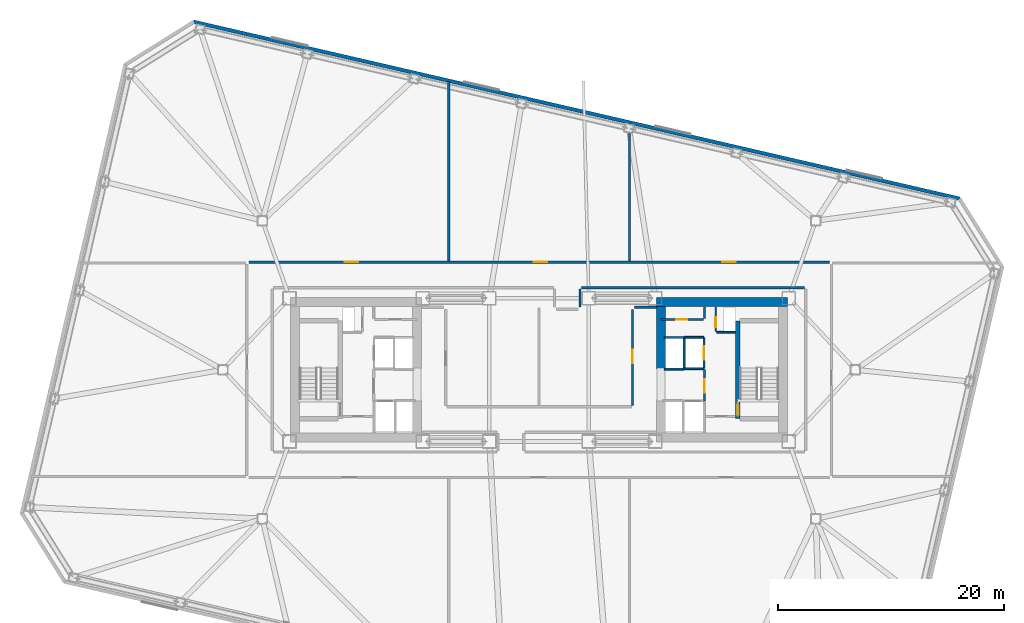
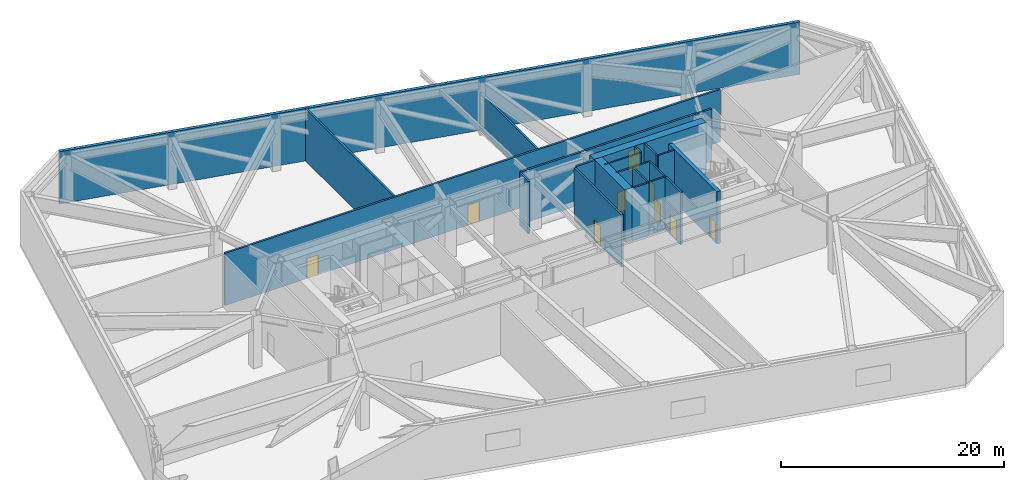
# One storey, part 6 of 15: 22 walls, 9 doors, 9 openings.
"""IFC4 building model written with IfcOpenShell, lengths in metres."""

from ifc_helpers import new_model, si_unit, direction, frame, frame_2d, origin, place, context, subcontext, project, spatial, rectangle, extrude, material, layer, layer_set, type_object, element, fill, save


model = new_model("IFC4")

# Units and contexts
model_context = context("Model", 3, precision=1e-05, world=origin(), true_north=direction((0.0, 1.0)))
body_context = subcontext(model_context, "Body", "Model", "MODEL_VIEW")
ifc_project = project(units=[si_unit("LENGTHUNIT", "METRE"), si_unit("AREAUNIT", "SQUARE_METRE"), si_unit("VOLUMEUNIT", "CUBIC_METRE"), si_unit("PLANEANGLEUNIT", "RADIAN"), si_unit("MASSUNIT", "GRAM", prefix="KILO")], contexts=[model_context])

# Site, building, storey
site_placement = place(None, origin())
site = spatial("IfcSite", under=ifc_project, at=site_placement, CompositionType="ELEMENT")
building_placement = place(site_placement, origin())
building = spatial("IfcBuilding", under=site, at=building_placement, Name="Tavrogorsk Clinical Tower", CompositionType="ELEMENT")
storey_placement = place(building_placement, frame((0.0, 0.0, 33.39990234375)))
storey = spatial("IfcBuildingStorey", under=building, at=storey_placement, Name="L06", CompositionType="ELEMENT", Elevation=33.39990234375)

# Wall, opening, door
ifc_material_1 = material(Name="Concrete B60", Category="concrete")
ifc_layer_1 = layer(ifc_material_1, 0.199951171875)
ifc_layer_set_1 = layer_set([ifc_layer_1], Name="Concrete B60")
wall_type_1 = type_object("IfcWallType", Name="CoreFireWall_200", PredefinedType="SOLIDWALL", material=ifc_layer_set_1)
wall_1_placement = place(storey_placement, frame((14.639892578125, -2.780029296875, 0.0), z_axis=(0.0, 0.0, 1.0), x_axis=(0.0, 1.0, 0.0)))
wall_1 = element("IfcWall", 1, at=wall_1_placement, inside=storey, type_object=wall_type_1, Name="L06 Core East Firefighting Lobby Fire Wall", PredefinedType="SOLIDWALL", context=body_context, shape_type="SweptSolid", body=[
    extrude(rectangle(XDim=2.820068359375, YDim=0.199951171875, at=frame_2d((1.41015625, 0.0))), origin(), (0.0, 0.0, 1.0), 5.739990234375),
])
opening_1_placement = place(wall_1_placement, frame((0.72998046875, 0.0, 0.0)))
opening_1 = element("IfcOpeningElement", 2, at=opening_1_placement, cuts=wall_1, Name="Opening FD-01", PredefinedType="OPENING", context=body_context, shape_type="SweptSolid", body=[
    extrude(rectangle(XDim=1.199951171875, YDim=2.199951171875, at=frame_2d((0.60009765625, 1.10009765625))), frame((0.0, 0.10986328125, 0.0), z_axis=(0.0, -1.0, 0.0), x_axis=(1.0, 0.0, 0.0)), (0.0, 0.0, 1.0), 0.219970703125),
])
ifc_material_2 = material(Name="Galvanised steel fire-rated door assembly", Category="steel")
door_type_1 = type_object("IfcDoorType", Name="FireDoor_FD01_1200", OperationType="NOTDEFINED", PredefinedType="DOOR", material=ifc_material_2)
door_1_placement = place(opening_1_placement, origin())
door_1 = element("IfcDoor", 3, at=door_1_placement, inside=storey, type_object=door_type_1, Name="L06 Core East Firefighting Lobby Entry Door", OperationType="SINGLE_SWING_RIGHT", OverallHeight=2.199951171875, OverallWidth=1.199951171875, PredefinedType="DOOR", context=body_context, shape_type="SweptSolid", body=[
    extrude(rectangle(XDim=1.199951171875, YDim=2.199951171875, at=frame_2d((0.60009765625, 1.10009765625))), frame((0.0, 0.02490234375, 0.0), z_axis=(0.0, -1.0, 0.0), x_axis=(1.0, 0.0, 0.0)), (0.0, 0.0, 1.0), 0.050048828125),
])
fill(opening_1, door_1)

# Wall, openings, doors
wall_2_placement = place(storey_placement, frame((-25.695068359375, 9.530029296875, 0.0), z_axis=(0.0, 0.0, 1.0), x_axis=(1.0, 0.0, 0.0)))
wall_2 = element("IfcWall", 4, at=wall_2_placement, inside=storey, type_object=wall_type_1, Name="L06 Refuge Corridor Fire Wall 02", PredefinedType="SOLIDWALL", context=body_context, shape_type="SweptSolid", body=[
    extrude(rectangle(XDim=51.39013671875, YDim=0.199951171875, at=frame_2d((25.695068359375, 0.0))), origin(), (0.0, 0.0, 1.0), 5.739990234375),
])
opening_2_placement = place(wall_2_placement, frame((25.199951171875, 0.0, 0.0)))
opening_2 = element("IfcOpeningElement", 5, at=opening_2_placement, cuts=wall_2, Name="Opening FD-01", PredefinedType="OPENING", context=body_context, shape_type="SweptSolid", body=[
    extrude(rectangle(XDim=1.199951171875, YDim=2.199951171875, at=frame_2d((0.60009765625, 1.10009765625))), frame((0.0, 0.10986328125, 0.0), z_axis=(0.0, -1.0, 0.0), x_axis=(1.0, 0.0, 0.0)), (0.0, 0.0, 1.0), 0.219970703125),
])
opening_3_placement = place(wall_2_placement, frame((8.494140625, 0.0, 0.0)))
opening_3 = element("IfcOpeningElement", 6, at=opening_3_placement, cuts=wall_2, Name="Opening FD-01", PredefinedType="OPENING", context=body_context, shape_type="SweptSolid", body=[
    extrude(rectangle(XDim=1.199951171875, YDim=2.199951171875, at=frame_2d((0.60009765625, 1.10009765625))), frame((0.0, 0.10986328125, 0.0), z_axis=(0.0, -1.0, 0.0), x_axis=(1.0, 0.0, 0.0)), (0.0, 0.0, 1.0), 0.219970703125),
])
opening_4_placement = place(wall_2_placement, frame((41.906005859375, 0.0, 0.0)))
opening_4 = element("IfcOpeningElement", 7, at=opening_4_placement, cuts=wall_2, Name="Opening FD-01", PredefinedType="OPENING", context=body_context, shape_type="SweptSolid", body=[
    extrude(rectangle(XDim=1.199951171875, YDim=2.199951171875, at=frame_2d((0.60009765625, 1.10009765625))), frame((0.0, 0.10986328125, 0.0), z_axis=(0.0, -1.0, 0.0), x_axis=(1.0, 0.0, 0.0)), (0.0, 0.0, 1.0), 0.219970703125),
])
door_2_placement = place(opening_2_placement, origin())
door_2 = element("IfcDoor", 8, at=door_2_placement, inside=storey, type_object=door_type_1, Name="L06 Assisted Bariatric Evacuation Refuge North Fire Door", OperationType="SINGLE_SWING_RIGHT", OverallHeight=2.199951171875, OverallWidth=1.199951171875, PredefinedType="DOOR", context=body_context, shape_type="SweptSolid", body=[
    extrude(rectangle(XDim=1.199951171875, YDim=2.199951171875, at=frame_2d((0.60009765625, 1.10009765625))), frame((0.0, 0.02490234375, 0.0), z_axis=(0.0, -1.0, 0.0), x_axis=(1.0, 0.0, 0.0)), (0.0, 0.0, 1.0), 0.050048828125),
])
fill(opening_2, door_2)
door_3_placement = place(opening_3_placement, origin())
door_3 = element("IfcDoor", 9, at=door_3_placement, inside=storey, type_object=door_type_1, Name="L06 HEPA Isolation AHU Plant West Fire Door", OperationType="SINGLE_SWING_LEFT", OverallHeight=2.199951171875, OverallWidth=1.199951171875, PredefinedType="DOOR", context=body_context, shape_type="SweptSolid", body=[
    extrude(rectangle(XDim=1.199951171875, YDim=2.199951171875, at=frame_2d((0.60009765625, 1.10009765625))), frame((0.0, 0.02490234375, 0.0), z_axis=(0.0, -1.0, 0.0), x_axis=(1.0, 0.0, 0.0)), (0.0, 0.0, 1.0), 0.050048828125),
])
fill(opening_3, door_3)
door_4_placement = place(opening_4_placement, origin())
door_4 = element("IfcDoor", 10, at=door_4_placement, inside=storey, type_object=door_type_1, Name="L06 HEPA Isolation AHU Plant East Fire Door", OperationType="SINGLE_SWING_RIGHT", OverallHeight=2.199951171875, OverallWidth=1.199951171875, PredefinedType="DOOR", context=body_context, shape_type="SweptSolid", body=[
    extrude(rectangle(XDim=1.199951171875, YDim=2.199951171875, at=frame_2d((0.60009765625, 1.10009765625))), frame((0.0, 0.02490234375, 0.0), z_axis=(0.0, -1.0, 0.0), x_axis=(1.0, 0.0, 0.0)), (0.0, 0.0, 1.0), 0.050048828125),
])
fill(opening_4, door_4)

# Wall, opening, door
wall_3_placement = place(storey_placement, frame((8.27001953125, -3.1650390625, 0.0), z_axis=(0.0, 0.0, 1.0), x_axis=(0.0, 1.0, 0.0)))
wall_3 = element("IfcWall", 11, at=wall_3_placement, inside=storey, type_object=wall_type_1, Name="L06 Refuge Corridor Fire Wall 10", PredefinedType="SOLIDWALL", context=body_context, shape_type="SweptSolid", body=[
    extrude(rectangle(XDim=8.510009765625, YDim=0.199951171875, at=frame_2d((4.2548828125, 0.0))), origin(), (0.0, 0.0, 1.0), 5.739990234375),
])
opening_5_placement = place(wall_3_placement, frame((3.760009765625, 0.0, 0.0)))
opening_5 = element("IfcOpeningElement", 12, at=opening_5_placement, cuts=wall_3, Name="Opening FD-01", PredefinedType="OPENING", context=body_context, shape_type="SweptSolid", body=[
    extrude(rectangle(XDim=1.199951171875, YDim=2.199951171875, at=frame_2d((0.60009765625, 1.10009765625))), frame((0.0, 0.10986328125, 0.0), z_axis=(0.0, -1.0, 0.0), x_axis=(1.0, 0.0, 0.0)), (0.0, 0.0, 1.0), 0.219970703125),
])
door_5_placement = place(opening_5_placement, origin())
door_5 = element("IfcDoor", 13, at=door_5_placement, inside=storey, type_object=door_type_1, Name="L06 Zone Domestic Water & Vacuum Booster Fire Door", OperationType="SINGLE_SWING_RIGHT", OverallHeight=2.199951171875, OverallWidth=1.199951171875, PredefinedType="DOOR", context=body_context, shape_type="SweptSolid", body=[
    extrude(rectangle(XDim=1.199951171875, YDim=2.199951171875, at=frame_2d((0.60009765625, 1.10009765625))), frame((0.0, 0.02490234375, 0.0), z_axis=(0.0, -1.0, 0.0), x_axis=(1.0, 0.0, 0.0)), (0.0, 0.0, 1.0), 0.050048828125),
])
fill(opening_5, door_5)

# Walls
wall_4_placement = place(storey_placement, frame((8.455078125, 5.530029296875, 0.0), z_axis=(0.0, 0.0, 1.0), x_axis=(1.0, 0.0, 0.0)))
element("IfcWall", 14, at=wall_4_placement, inside=storey, type_object=wall_type_1, Name="L06 Refuge Corridor Fire Wall 11", PredefinedType="SOLIDWALL", context=body_context, shape_type="SweptSolid", body=[
    extrude(rectangle(XDim=1.9248046875, YDim=0.199951171875, at=frame_2d((0.96240234375, 0.0))), origin(), (0.0, 0.0, 1.0), 5.739990234375),
])
wall_5_placement = place(storey_placement, frame((23.514892578125, 7.27001953125, 0.0), z_axis=(0.0, 0.0, 1.0), x_axis=(-1.0, 0.0, 0.0)))
element("IfcWall", 15, at=wall_5_placement, inside=storey, type_object=wall_type_1, Name="L06 Refuge Corridor Fire Wall 16", PredefinedType="SOLIDWALL", context=body_context, shape_type="SweptSolid", body=[
    extrude(rectangle(XDim=19.77978515625, YDim=0.199951171875, at=frame_2d((9.889892578125, 0.0))), origin(), (0.0, 0.0, 1.0), 5.739990234375),
])
wall_6_placement = place(storey_placement, frame((3.6298828125, 7.1650390625, 0.0), z_axis=(0.0, 0.0, 1.0), x_axis=(0.0, -1.0, 0.0)))
element("IfcWall", 16, at=wall_6_placement, inside=storey, type_object=wall_type_1, Name="L06 Refuge Corridor Fire Wall 17", PredefinedType="SOLIDWALL", context=body_context, shape_type="SweptSolid", body=[
    extrude(rectangle(XDim=1.610107421875, YDim=0.199951171875, at=frame_2d((0.80517578125, 0.0))), origin(), (0.0, 0.0, 1.0), 5.739990234375),
])
wall_7_placement = place(storey_placement, frame((-8.0, 9.635009765625, 0.0), z_axis=(0.0, 0.0, 1.0), x_axis=(0.0, 1.0, 0.0)))
element("IfcWall", 17, at=wall_7_placement, inside=storey, type_object=wall_type_1, Name="L06 Refuge & Plant Fire Wall 7", PredefinedType="SOLIDWALL", context=body_context, shape_type="SweptSolid", body=[
    extrude(rectangle(XDim=15.905517578125, YDim=0.199951171875, at=frame_2d((7.95263671875, 0.0))), origin(), (0.0, 0.0, 1.0), 5.739990234375),
])
wall_8_placement = place(storey_placement, frame((8.0, 9.635009765625, 0.0), z_axis=(0.0, 0.0, 1.0), x_axis=(0.0, 1.0, 0.0)))
element("IfcWall", 18, at=wall_8_placement, inside=storey, type_object=wall_type_1, Name="L06 Refuge & Plant Fire Wall 8", PredefinedType="SOLIDWALL", context=body_context, shape_type="SweptSolid", body=[
    extrude(rectangle(XDim=12.211669921875, YDim=0.199951171875, at=frame_2d((6.10595703125, 0.0))), origin(), (0.0, 0.0, 1.0), 4.135009765625),
])

# Wall, opening, door
ifc_material_3 = material(Name="Lightweight concrete blockwork B15", Category="masonry")
ifc_layer_2 = layer(ifc_material_3, 0.159912109375)
ifc_layer_set_2 = layer_set([ifc_layer_2], Name="Lightweight concrete blockwork B15")
wall_type_2 = type_object("IfcWallType", Name="PartitionWall_160", PredefinedType="PARTITIONING", material=ifc_layer_set_2)
wall_9_placement = place(storey_placement, frame((10.800048828125, 4.4599609375, 0.0), z_axis=(0.0, 0.0, 1.0), x_axis=(1.0, 0.0, 0.0)))
wall_9 = element("IfcWall", 19, at=wall_9_placement, inside=storey, type_object=wall_type_2, Name="L06 Core East Pneumatic Dispatch South Wall", PredefinedType="PARTITIONING", context=body_context, shape_type="SweptSolid", body=[
    extrude(rectangle(XDim=3.7548828125, YDim=0.159912109375, at=frame_2d((1.87744140625, 0.0))), origin(), (0.0, 0.0, 1.0), 5.739990234375),
])
opening_6_placement = place(wall_9_placement, frame((1.35009765625, 0.0, 0.0)))
opening_6 = element("IfcOpeningElement", 20, at=opening_6_placement, cuts=wall_9, Name="Opening ID-02", PredefinedType="OPENING", context=body_context, shape_type="SweptSolid", body=[
    extrude(rectangle(XDim=0.949951171875, YDim=2.199951171875, at=frame_2d((0.47509765625, 1.10009765625))), frame((0.0, 0.08984375, 0.0), z_axis=(0.0, -1.0, 0.0), x_axis=(1.0, 0.0, 0.0)), (0.0, 0.0, 1.0), 0.179931640625),
])
ifc_material_4 = material(Name="Laminated timber leaf on aluminium frame", Category="wood")
door_type_2 = type_object("IfcDoorType", Name="InteriorDoor_ID02_950", OperationType="NOTDEFINED", PredefinedType="DOOR", material=ifc_material_4)
door_6_placement = place(opening_6_placement, origin())
door_6 = element("IfcDoor", 21, at=door_6_placement, inside=storey, type_object=door_type_2, Name="L06 Core East Pneumatic Dispatch Door", OperationType="SINGLE_SWING_LEFT", OverallHeight=2.199951171875, OverallWidth=0.949951171875, PredefinedType="DOOR", context=body_context, shape_type="SweptSolid", body=[
    extrude(rectangle(XDim=0.949951171875, YDim=2.199951171875, at=frame_2d((0.47509765625, 1.10009765625))), frame((0.0, 0.02490234375, 0.0), z_axis=(0.0, -1.0, 0.0), x_axis=(1.0, 0.0, 0.0)), (0.0, 0.0, 1.0), 0.050048828125),
])
fill(opening_6, door_6)

# Walls
wall_10_placement = place(storey_placement, frame((14.639892578125, 4.544921875, 0.0), z_axis=(0.0, 0.0, 1.0), x_axis=(0.0, 1.0, 0.0)))
element("IfcWall", 22, at=wall_10_placement, inside=storey, type_object=wall_type_2, Name="L06 Core East Pneumatic Dispatch East Wall", PredefinedType="PARTITIONING", context=body_context, shape_type="SweptSolid", body=[
    extrude(rectangle(XDim=1.01513671875, YDim=0.159912109375, at=frame_2d((0.507568359375, 0.0))), origin(), (0.0, 0.0, 1.0), 5.739990234375),
])
ifc_material_5 = material(Name="Precast concrete B45 acoustic plenum wall", Category="concrete")
ifc_layer_3 = layer(ifc_material_5, 0.320068359375)
ifc_layer_set_3 = layer_set([ifc_layer_3], Name="Precast concrete B45 acoustic plenum wall")
wall_type_3 = type_object("IfcWallType", Name="PlantLouvreWall_320", PredefinedType="STANDARD", material=ifc_layer_set_3)
wall_11_placement = place(storey_placement, frame((37.230712890625, 15.15966796875, 0.0), z_axis=(0.0, 0.0, 1.0), x_axis=(-0.97436943503, 0.224953782098, 0.0)))
element("IfcWall", 23, at=wall_11_placement, inside=storey, type_object=wall_type_3, Name="L06 N Limestone Facade Wall 1", PredefinedType="STANDARD", context=body_context, shape_type="SweptSolid", body=[
    extrude(rectangle(XDim=69.599853515625, YDim=0.320068359375, at=frame_2d((34.7998046875, 0.0))), origin(), (0.0, 0.0, 1.0), 5.739990234375),
])

# Wall, opening, door
ifc_material_6 = material(Name="Lightweight concrete blockwork B25", Category="masonry")
ifc_layer_4 = layer(ifc_material_6, 0.159912109375)
ifc_layer_set_4 = layer_set([ifc_layer_4], Name="Lightweight concrete blockwork B25")
wall_type_4 = type_object("IfcWallType", Name="ShaftWall_160", PredefinedType="PARTITIONING", material=ifc_layer_set_4)
wall_12_placement = place(storey_placement, frame((14.60009765625, 0.1201171875, 0.0), z_axis=(0.0, 0.0, 1.0), x_axis=(0.0, 1.0, 0.0)))
wall_12 = element("IfcWall", 24, at=wall_12_placement, inside=storey, type_object=wall_type_4, Name="L06 FFL-E Firefighting Lift Front Wall", PredefinedType="PARTITIONING", context=body_context, shape_type="SweptSolid", body=[
    extrude(rectangle(XDim=2.739990234375, YDim=0.159912109375, at=frame_2d((1.3701171875, 0.0))), origin(), (0.0, 0.0, 1.0), 5.739990234375),
])
opening_7_placement = place(wall_12_placement, frame((0.77001953125, 0.0, 0.0)))
opening_7 = element("IfcOpeningElement", 25, at=opening_7_placement, cuts=wall_12, Name="Opening LD", PredefinedType="OPENING", context=body_context, shape_type="SweptSolid", body=[
    extrude(rectangle(XDim=1.199951171875, YDim=2.199951171875, at=frame_2d((0.60009765625, 1.10009765625))), frame((0.0, 0.08984375, 0.0), z_axis=(0.0, -1.0, 0.0), x_axis=(1.0, 0.0, 0.0)), (0.0, 0.0, 1.0), 0.179931640625),
])
ifc_material_7 = material(Name="Brushed stainless steel AISI 304 sliding doors", Category="steel")
door_type_3 = type_object("IfcDoorType", Name="LiftLandingDoor_LD_1200", OperationType="SLIDING_TO_LEFT", PredefinedType="DOOR", material=ifc_material_7)
door_7_placement = place(opening_7_placement, origin())
door_7 = element("IfcDoor", 26, at=door_7_placement, inside=storey, type_object=door_type_3, Name="L06 FFL-E Sliding Lift Landing Door", OperationType="SLIDING_TO_LEFT", OverallHeight=2.199951171875, OverallWidth=1.199951171875, PredefinedType="DOOR", context=body_context, shape_type="SweptSolid", body=[
    extrude(rectangle(XDim=1.199951171875, YDim=2.199951171875, at=frame_2d((0.60009765625, 1.10009765625))), frame((0.0, 0.02490234375, 0.0), z_axis=(0.0, -1.0, 0.0), x_axis=(1.0, 0.0, 0.0)), (0.0, 0.0, 1.0), 0.050048828125),
])
fill(opening_7, door_7)

# Walls
for number, where, z_axis, x_axis, name in (
    (27, (12.840087890625, 0.10009765625, 0.0), (0.0, 0.0, 1.0), (1.0, 0.0, 0.0), "L06 FFL-E Shaft South Wall"),
    (28, (12.840087890625, 2.8798828125, 0.0), (0.0, 0.0, 1.0), (1.0, 0.0, 0.0), "L06 FFL-E Shaft North Wall"),
):
    element("IfcWall", number, at=place(storey_placement, frame(where, z_axis=z_axis, x_axis=x_axis)), inside=storey, type_object=wall_type_4, Name=name, PredefinedType="PARTITIONING", context=body_context, shape_type="SweptSolid", body=[
        extrude(rectangle(XDim=1.760009765625, YDim=0.159912109375, at=frame_2d((0.8798828125, 0.0))), origin(), (0.0, 0.0, 1.0), 5.739990234375),
    ])
wall_13_placement = place(storey_placement, frame((12.840087890625, 0.179931640625, 0.0), z_axis=(0.0, 0.0, 1.0), x_axis=(0.0, 1.0, 0.0)))
element("IfcWall", 29, at=wall_13_placement, inside=storey, type_object=wall_type_4, Name="L06 FFL-E Shaft Back Wall", PredefinedType="PARTITIONING", context=body_context, shape_type="SweptSolid", body=[
    extrude(rectangle(XDim=2.6201171875, YDim=0.159912109375, at=frame_2d((1.31005859375, 0.0))), origin(), (0.0, 0.0, 1.0), 5.739990234375),
])
for number, where, z_axis, x_axis, name in (
    (30, (11.10009765625, 0.06005859375, 0.0), (0.0, 0.0, 1.0), (1.0, 0.0, 0.0), "L06 LP-H2 High-Zone Lift Portal Wall"),
    (31, (11.10009765625, 2.860107421875, 0.0), (0.0, 0.0, 1.0), (1.0, 0.0, 0.0), "L06 LP-H2 High-Zone Lift Rear Wall"),
):
    element("IfcWall", number, at=place(storey_placement, frame(where, z_axis=z_axis, x_axis=x_axis)), inside=storey, type_object=wall_type_4, Name=name, PredefinedType="PARTITIONING", context=body_context, shape_type="SweptSolid", body=[
        extrude(rectangle(XDim=1.719970703125, YDim=0.159912109375, at=frame_2d((0.85986328125, 0.0))), origin(), (0.0, 0.0, 1.0), 5.739990234375),
    ])

# Wall, opening, door
wall_14_placement = place(storey_placement, frame((15.639892578125, 3.405029296875, 0.0), z_axis=(0.0, 0.0, 1.0), x_axis=(0.0, 1.0, 0.0)))
wall_14 = element("IfcWall", 32, at=wall_14_placement, inside=storey, type_object=wall_type_4, Name="L06 Core East Riser West Wall", PredefinedType="PARTITIONING", context=body_context, shape_type="SweptSolid", body=[
    extrude(rectangle(XDim=2.155029296875, YDim=0.159912109375, at=frame_2d((1.07763671875, 0.0))), origin(), (0.0, 0.0, 1.0), 5.739990234375),
])
opening_8_placement = place(wall_14_placement, frame((0.35009765625, 0.0, 0.0)))
opening_8 = element("IfcOpeningElement", 33, at=opening_8_placement, cuts=wall_14, Name="Opening FD-02", PredefinedType="OPENING", context=body_context, shape_type="SweptSolid", body=[
    extrude(rectangle(XDim=0.89990234375, YDim=2.199951171875, at=frame_2d((0.449951171875, 1.10009765625))), frame((0.0, 0.08984375, 0.0), z_axis=(0.0, -1.0, 0.0), x_axis=(1.0, 0.0, 0.0)), (0.0, 0.0, 1.0), 0.179931640625),
])
ifc_material_8 = material(Name="Galvanised steel fire-rated door assembly", Category="steel")
door_type_4 = type_object("IfcDoorType", Name="FireDoor_FD02_900", OperationType="NOTDEFINED", PredefinedType="DOOR", material=ifc_material_8)
door_8_placement = place(opening_8_placement, origin())
door_8 = element("IfcDoor", 34, at=door_8_placement, inside=storey, type_object=door_type_4, Name="L06 Core East Electrical Riser Access Door", OperationType="SINGLE_SWING_LEFT", OverallHeight=2.199951171875, OverallWidth=0.89990234375, PredefinedType="DOOR", context=body_context, shape_type="SweptSolid", body=[
    extrude(rectangle(XDim=0.89990234375, YDim=2.199951171875, at=frame_2d((0.449951171875, 1.10009765625))), frame((0.0, 0.02490234375, 0.0), z_axis=(0.0, -1.0, 0.0), x_axis=(1.0, 0.0, 0.0)), (0.0, 0.0, 1.0), 0.050048828125),
])
fill(opening_8, door_8)

# Wall
wall_15_placement = place(storey_placement, frame((15.72509765625, 3.320068359375, 0.0), z_axis=(0.0, 0.0, 1.0), x_axis=(1.0, 0.0, 0.0)))
element("IfcWall", 35, at=wall_15_placement, inside=storey, type_object=wall_type_4, Name="L06 Core East Riser South Wall", PredefinedType="PARTITIONING", context=body_context, shape_type="SweptSolid", body=[
    extrude(rectangle(XDim=1.65478515625, YDim=0.159912109375, at=frame_2d((0.827392578125, 0.0))), origin(), (0.0, 0.0, 1.0), 5.739990234375),
])

# Wall, opening, door
ifc_material_9 = material(Name="Concrete B80", Category="concrete")
ifc_layer_5 = layer(ifc_material_9, 0.39990234375)
ifc_layer_set_5 = layer_set([ifc_layer_5], Name="Concrete B80")
wall_type_5 = type_object("IfcWallType", Name="ShearWall_400", PredefinedType="SHEAR", material=ifc_layer_set_5)
wall_16_placement = place(storey_placement, frame((17.60009765625, -4.324951171875, 0.0), z_axis=(0.0, 0.0, 1.0), x_axis=(0.0, 1.0, 0.0)))
wall_16 = element("IfcWall", 36, at=wall_16_placement, inside=storey, type_object=wall_type_5, Name="L06 Core East Stair Shaft Inner Shear Wall", PredefinedType="SHEAR", context=body_context, shape_type="SweptSolid", body=[
    extrude(rectangle(XDim=8.64990234375, YDim=0.39990234375, at=frame_2d((4.324951171875, 0.0))), origin(), (0.0, 0.0, 1.0), 5.739990234375),
])
opening_9_placement = place(wall_16_placement, frame((0.25, 0.0, 0.0)))
opening_9 = element("IfcOpeningElement", 37, at=opening_9_placement, cuts=wall_16, Name="Opening SD-01", PredefinedType="OPENING", context=body_context, shape_type="SweptSolid", body=[
    extrude(rectangle(XDim=1.10009765625, YDim=2.199951171875, at=frame_2d((0.550048828125, 1.10009765625))), frame((0.0, 0.2099609375, 0.0), z_axis=(0.0, -1.0, 0.0), x_axis=(1.0, 0.0, 0.0)), (0.0, 0.0, 1.0), 0.419921875),
])
ifc_material_10 = material(Name="Galvanised steel smoke-tight fire door assembly", Category="steel")
door_type_5 = type_object("IfcDoorType", Name="StairFireDoor_SD01_1100", OperationType="NOTDEFINED", PredefinedType="DOOR", material=ifc_material_10)
door_9_placement = place(opening_9_placement, origin())
door_9 = element("IfcDoor", 38, at=door_9_placement, inside=storey, type_object=door_type_5, Name="L06 ST-E Exit Stair Door", OperationType="SINGLE_SWING_RIGHT", OverallHeight=2.199951171875, OverallWidth=1.10009765625, PredefinedType="DOOR", context=body_context, shape_type="SweptSolid", body=[
    extrude(rectangle(XDim=1.10009765625, YDim=2.199951171875, at=frame_2d((0.550048828125, 1.10009765625))), frame((0.0, 0.02490234375, 0.0), z_axis=(0.0, -1.0, 0.0), x_axis=(1.0, 0.0, 0.0)), (0.0, 0.0, 1.0), 0.050048828125),
])
fill(opening_9, door_9)

# Walls
ifc_material_11 = material(Name="Concrete B80", Category="concrete")
ifc_layer_6 = layer(ifc_material_11, 0.800048828125)
ifc_layer_set_6 = layer_set([ifc_layer_6], Name="Concrete B80")
wall_type_6 = type_object("IfcWallType", Name="ShearWall_800", PredefinedType="SHEAR", material=ifc_layer_set_6)
wall_17_placement = place(storey_placement, frame((10.39990234375, 6.0, 0.0), z_axis=(0.0, 0.0, 1.0), x_axis=(1.0, 0.0, 0.0)))
element("IfcWall", 39, at=wall_17_placement, inside=storey, type_object=wall_type_6, Name="L06 Core East North Shear Wall", PredefinedType="SHEAR", context=body_context, shape_type="SweptSolid", body=[
    extrude(rectangle(XDim=11.60009765625, YDim=0.800048828125, at=frame_2d((5.800048828125, 0.0))), origin(), (0.0, 0.0, 1.0), 5.739990234375),
])
wall_18_placement = place(storey_placement, frame((10.800048828125, 0.050048828125, 0.0), z_axis=(0.0, 0.0, 1.0), x_axis=(0.0, 1.0, 0.0)))
element("IfcWall", 40, at=wall_18_placement, inside=storey, type_object=wall_type_6, Name="L06 Core East Inner North Pier", PredefinedType="SHEAR", context=body_context, shape_type="SweptSolid", body=[
    extrude(rectangle(XDim=5.550048828125, YDim=0.800048828125, at=frame_2d((2.77490234375, 0.0))), origin(), (0.0, 0.0, 1.0), 5.739990234375),
])

save(model, "model.ifc")
